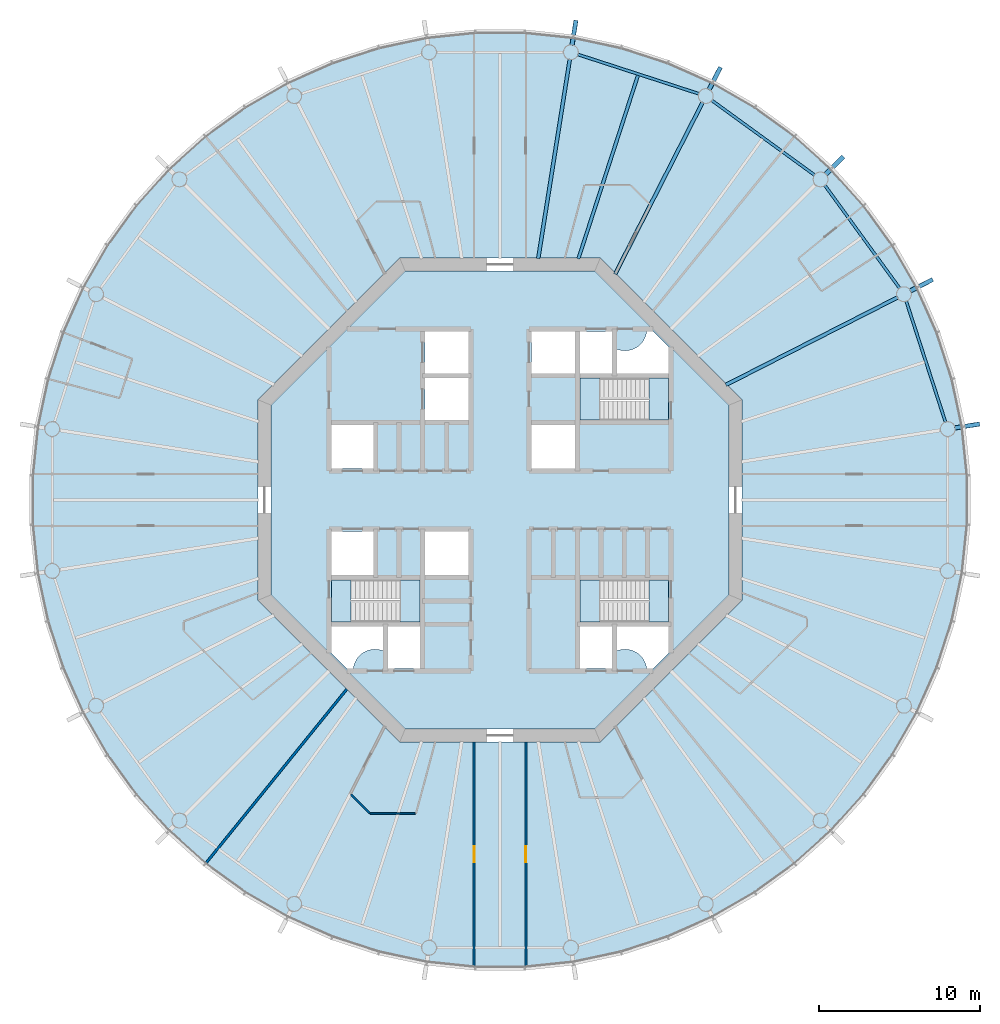
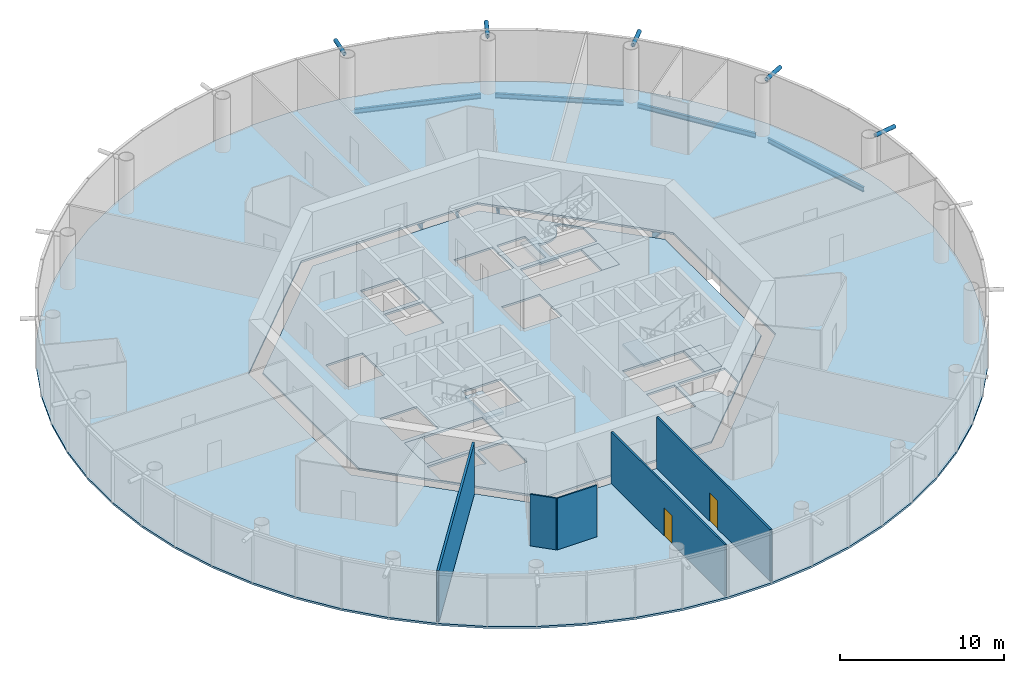
# One storey, part 2 of 13: 8 beams, 8 slabs, 5 members, 5 walls, 2 doors, 2 openings, 3 elements without a shape of their own.
"""IFC4 building model written with IfcOpenShell, lengths in metres."""

from ifc_helpers import new_model, si_unit, direction, frame, frame_2d, origin, origin_2d, place, context, subcontext, project, spatial, polyline, rectangle, circle, hollow_circle, i_section, outline, extrude, material, layer, layer_set, material_profile, profile_set, type_object, element, fill, aggregate, save


model = new_model("IFC4")

# Units and contexts
model_context = context("Model", 3, precision=1e-05, world=origin(), true_north=direction((0.0, 1.0)))
body_context = subcontext(model_context, "Body", "Model", "MODEL_VIEW")
ifc_project = project(units=[si_unit("LENGTHUNIT", "METRE"), si_unit("AREAUNIT", "SQUARE_METRE"), si_unit("VOLUMEUNIT", "CUBIC_METRE"), si_unit("PLANEANGLEUNIT", "RADIAN"), si_unit("MASSUNIT", "GRAM", prefix="KILO")], contexts=[model_context])

# Site, building, storey
site_placement = place(None, origin())
site = spatial("IfcSite", under=ifc_project, at=site_placement, CompositionType="ELEMENT")
building_placement = place(site_placement, origin())
building = spatial("IfcBuilding", under=site, at=building_placement, Name="Entoto Ring Tower", CompositionType="ELEMENT")
storey_placement = place(building_placement, frame((0.0, 0.0, 290.0)))
storey = spatial("IfcBuildingStorey", under=building, at=storey_placement, Name="L66", CompositionType="ELEMENT", Elevation=290.0)

# Members
ifc_material_1 = material(Name="Steel S355", Category="steel")
ifc_material_profile_1 = material_profile(ifc_material_1, hollow_circle(Radius=0.136474609375, WallThickness=0.012451171875, at=origin_2d()), Name="CHS 273 x 12.5")
ifc_material_2 = material(Name="Concrete C60/75", Category="concrete")
ifc_material_profile_2 = material_profile(ifc_material_2, circle(Radius=0.1240234375, at=origin_2d()), Name="Concrete C60/75 infill")
ifc_profile_set_1 = profile_set([ifc_material_profile_1, ifc_material_profile_2], Name="Steel S355")
member_type = type_object("IfcMemberType", Name="Diagrid node strut 273 x 12.5", PredefinedType="STRUT", material=ifc_profile_set_1)
for number, where, z_axis, x_axis, name in (
    (1, (118.18359375, 84.4638671875, 3.71337890625), (0.987685696029, 0.156451161263, 0.0), (-0.156451161263, 0.987685696029, 0.0), "DS2 strut ring 22 01"),
    (2, (115.4248046875, 92.95458984375, 3.71337890625), (0.891032354048, 0.45393980222, 0.0), (-0.45393980222, 0.891032354048, 0.0), "DS2 strut ring 22 02"),
    (3, (110.17724609375, 100.17724609375, 3.71337890625), (0.707106781187, 0.707106781187, 0.0), (-0.707106781187, 0.707106781187, 0.0), "DS2 strut ring 22 03"),
    (4, (102.95458984375, 105.4248046875, 3.71337890625), (0.45393980222, 0.891032354048, 0.0), (-0.891032354048, 0.45393980222, 0.0), "DS2 strut ring 22 04"),
    (5, (94.4638671875, 108.18359375, 3.71337890625), (0.156451161263, 0.987685696029, 0.0), (-0.987685696029, 0.156451161263, 0.0), "DS2 strut ring 22 05"),
):
    element("IfcMember", number, at=place(storey_placement, frame(where, z_axis=z_axis, x_axis=x_axis)), inside=storey, type_object=member_type, Name=name, PredefinedType="STRUT", context=body_context, shape_type="SweptSolid", body=[
        extrude(hollow_circle(Radius=0.136474609375, WallThickness=0.012451171875, at=origin_2d()), origin(), (0.0, 0.0, 1.0), 1.565185546875),
    ])

# Beams
ifc_material_3 = material(Name="Steel S355", Category="steel")
ifc_material_profile_3 = material_profile(ifc_material_3, i_section(OverallWidth=0.169921875, OverallDepth=0.360107421875, WebThickness=0.008056640625, FlangeThickness=0.0126953125, FilletRadius=0.01806640625, at=origin_2d()), Name="IPE 360")
ifc_profile_set_2 = profile_set([ifc_material_profile_3], Name="Steel S355")
beam_type_1 = type_object("IfcBeamType", Name="Edge beam IPE 360", PredefinedType="SPANDREL", material=ifc_profile_set_2)
beam_1_placement = place(storey_placement, frame((117.61572265625, 84.8212890625, -0.330078125), z_axis=(-0.309002883506, 0.951061101079, 0.0), x_axis=(-0.951061101079, -0.309002883506, 0.0)))
element("IfcBeam", 6, at=beam_1_placement, inside=storey, type_object=beam_type_1, Name="Edge beam L66 01", PredefinedType="SPANDREL", context=body_context, shape_type="SweptSolid", body=[
    extrude(i_section(OverallWidth=0.169921875, OverallDepth=0.360107421875, WebThickness=0.008056640625, FlangeThickness=0.0126953125, FilletRadius=0.01806640625, at=origin_2d()), origin(), (0.0, 0.0, 1.0), 7.89697265625),
])
for number, where, z_axis, x_axis, name in (
    (7, (114.7744140625, 93.118896484375, -0.330078125), (-0.587787449408, 0.809015398073, 0.0), (-0.809015398073, -0.587787449408, 0.0), "Edge beam L66 02"),
    (8, (109.5078125, 100.132568359375, -0.330078125), (-0.809015398073, 0.587787449408, 0.0), (-0.587787449408, -0.809015398073, 0.0), "Edge beam L66 03"),
):
    element("IfcBeam", number, at=place(storey_placement, frame(where, z_axis=z_axis, x_axis=x_axis)), inside=storey, type_object=beam_type_1, Name=name, PredefinedType="SPANDREL", context=body_context, shape_type="SweptSolid", body=[
        extrude(i_section(OverallWidth=0.169921875, OverallDepth=0.360107421875, WebThickness=0.008056640625, FlangeThickness=0.0126953125, FilletRadius=0.01806640625, at=origin_2d()), origin(), (0.0, 0.0, 1.0), 7.897216796875),
    ])
beam_2_placement = place(storey_placement, frame((102.331787109375, 105.175537109375, -0.330078125), z_axis=(-0.951061101079, 0.309002883506, 0.0), x_axis=(-0.309002883506, -0.951061101079, 0.0)))
element("IfcBeam", 9, at=beam_2_placement, inside=storey, type_object=beam_type_1, Name="Edge beam L66 04", PredefinedType="SPANDREL", context=body_context, shape_type="SweptSolid", body=[
    extrude(i_section(OverallWidth=0.169921875, OverallDepth=0.360107421875, WebThickness=0.008056640625, FlangeThickness=0.0126953125, FilletRadius=0.01806640625, at=origin_2d()), origin(), (0.0, 0.0, 1.0), 7.89697265625),
])
ifc_material_4 = material(Name="Steel S355", Category="steel")
ifc_material_profile_4 = material_profile(ifc_material_4, i_section(OverallWidth=0.219970703125, OverallDepth=0.60009765625, WebThickness=0.011962890625, FlangeThickness=0.01904296875, FilletRadius=0.02392578125, at=origin_2d()), Name="IPE 600")
ifc_profile_set_3 = profile_set([ifc_material_profile_4], Name="Steel S355")
beam_type_2 = type_object("IfcBeamType", Name="Primary floor beam IPE 600", PredefinedType="BEAM", material=ifc_profile_set_3)
for number, where, z_axis, x_axis, name in (
    (10, (104.003173828125, 87.135009765625, -0.449951171875), (0.891007666593, 0.453988257638, 0.0), (-0.453988257638, 0.891007666593, 0.0), "Primary L66 R02"),
    (11, (97.135009765625, 94.003173828125, -0.449951171875), (0.453988257638, 0.891007666593, 0.0), (-0.891007666593, 0.453988257638, 0.0), "Primary L66 R04"),
):
    element("IfcBeam", number, at=place(storey_placement, frame(where, z_axis=z_axis, x_axis=x_axis)), inside=storey, type_object=beam_type_2, Name=name, PredefinedType="BEAM", context=body_context, shape_type="SweptSolid", body=[
        extrude(i_section(OverallWidth=0.219970703125, OverallDepth=0.60009765625, WebThickness=0.011962890625, FlangeThickness=0.01904296875, FilletRadius=0.02392578125, at=origin_2d()), origin(), (0.0, 0.0, 1.0), 11.941650390625),
    ])
beam_3_placement = place(storey_placement, frame((92.369873046875, 94.963134765625, -0.449951171875), z_axis=(0.156439647277, 0.987687519796, 0.0), x_axis=(-0.987687519796, 0.156439647277, 0.0)))
element("IfcBeam", 12, at=beam_3_placement, inside=storey, type_object=beam_type_2, Name="Primary L66 R05", PredefinedType="BEAM", context=body_context, shape_type="SweptSolid", body=[
    extrude(i_section(OverallWidth=0.219970703125, OverallDepth=0.60009765625, WebThickness=0.011962890625, FlangeThickness=0.01904296875, FilletRadius=0.02392578125, at=origin_2d()), origin(), (0.0, 0.0, 1.0), 12.50830078125),
])
ifc_material_5 = material(Name="Steel S355", Category="steel")
ifc_material_profile_5 = material_profile(ifc_material_5, i_section(OverallWidth=0.199951171875, OverallDepth=0.5, WebThickness=0.01025390625, FlangeThickness=0.01611328125, FilletRadius=0.02099609375, at=origin_2d()), Name="IPE 500")
ifc_profile_set_4 = profile_set([ifc_material_profile_5], Name="Steel S355")
beam_type_3 = type_object("IfcBeamType", Name="Secondary floor beam IPE 500", PredefinedType="JOIST", material=ifc_profile_set_4)
beam_4_placement = place(storey_placement, frame((94.857666015625, 94.9501953125, -0.39990234375), z_axis=(0.30901677521, 0.951056587506, 0.0), x_axis=(-0.951056587506, 0.30901677521, 0.0)))
element("IfcBeam", 13, at=beam_4_placement, inside=storey, type_object=beam_type_3, Name="Secondary beam L66 04", PredefinedType="JOIST", context=body_context, shape_type="SweptSolid", body=[
    extrude(i_section(OverallWidth=0.199951171875, OverallDepth=0.5, WebThickness=0.01025390625, FlangeThickness=0.01611328125, FilletRadius=0.02099609375, at=origin_2d()), origin(), (0.0, 0.0, 1.0), 11.94970703125),
])

# Slabs
ifc_material_6 = material(Name="Concrete C30/37", Category="concrete")
ifc_layer_1 = layer(ifc_material_6, 0.14990234375)
ifc_layer_set_1 = layer_set([ifc_layer_1], Name="Concrete C30/37")
slab_type_1 = type_object("IfcSlabType", Name="Composite floor slab 150 mm", PredefinedType="FLOOR", material=ifc_layer_set_1)
slab_1_placement = place(storey_placement, frame((0.0, 0.0, -0.14990234375)))
element("IfcSlab", 14, at=slab_1_placement, inside=storey, type_object=slab_type_1, Name="Floor slab L66", PredefinedType="FLOOR", context=body_context, shape_type="SweptSolid", body=[
    extrude(outline(polyline([(118.74169921875, 84.55224609375), (118.1083984375, 87.53173828125), (117.167236328125, 90.428466796875), (115.92822265625, 93.211181640625), (114.4052734375, 95.848876953125), (112.614990234375, 98.313232421875), (110.576904296875, 100.576904296875), (108.313232421875, 102.614990234375), (105.848876953125, 104.4052734375), (103.211181640625, 105.92822265625), (100.428466796875, 107.167236328125), (97.53173828125, 108.1083984375), (94.55224609375, 108.74169921875), (91.52294921875, 109.06005859375), (88.47705078125, 109.06005859375), (85.44775390625, 108.74169921875), (82.46826171875, 108.1083984375), (79.571533203125, 107.167236328125), (76.788818359375, 105.92822265625), (74.151123046875, 104.4052734375), (71.686767578125, 102.614990234375), (69.423095703125, 100.576904296875), (67.385009765625, 98.313232421875), (65.5947265625, 95.848876953125), (64.07177734375, 93.211181640625), (62.832763671875, 90.428466796875), (61.8916015625, 87.53173828125), (61.25830078125, 84.55224609375), (60.93994140625, 81.52294921875), (60.93994140625, 78.47705078125), (61.25830078125, 75.44775390625), (61.8916015625, 72.46826171875), (62.832763671875, 69.571533203125), (64.07177734375, 66.788818359375), (65.5947265625, 64.151123046875), (67.385009765625, 61.686767578125), (69.423095703125, 59.423095703125), (71.686767578125, 57.385009765625), (74.151123046875, 55.5947265625), (76.788818359375, 54.07177734375), (79.571533203125, 52.832763671875), (82.46826171875, 51.8916015625), (85.44775390625, 51.25830078125), (88.47705078125, 50.93994140625), (91.52294921875, 50.93994140625), (94.55224609375, 51.25830078125), (97.53173828125, 51.8916015625), (100.428466796875, 52.832763671875), (103.211181640625, 54.07177734375), (105.848876953125, 55.5947265625), (108.313232421875, 57.385009765625), (110.576904296875, 59.423095703125), (112.614990234375, 61.686767578125), (114.4052734375, 64.151123046875), (115.92822265625, 66.788818359375), (117.167236328125, 69.571533203125), (118.1083984375, 72.46826171875), (118.74169921875, 75.44775390625), (119.06005859375, 78.47705078125), (119.06005859375, 81.52294921875), (118.74169921875, 84.55224609375)]), holes=[polyline([(105.0, 73.786865234375), (105.0, 86.213134765625), (96.213134765625, 95.0), (83.786865234375, 95.0), (75.0, 86.213134765625), (75.0, 73.786865234375), (83.786865234375, 65.0), (96.213134765625, 65.0), (105.0, 73.786865234375)])]), origin(), (0.0, 0.0, 1.0), 0.14990234375),
])
ifc_material_7 = material(Name="Concrete C40/50", Category="concrete")
ifc_layer_2 = layer(ifc_material_7, 0.14990234375)
ifc_layer_set_2 = layer_set([ifc_layer_2], Name="Concrete C40/50")
slab_type_2 = type_object("IfcSlabType", Name="Core floor slab 150 mm reinforced concrete C40/50", PredefinedType="FLOOR", material=ifc_layer_set_2)
slab_2_placement = place(storey_placement, frame((0.0, 0.0, -0.14990234375)))
element("IfcSlab", 15, at=slab_2_placement, inside=storey, type_object=slab_type_2, Name="Core floor L66", PredefinedType="FLOOR", context=body_context, shape_type="SweptSolid", body=[
    extrude(outline(polyline([(104.199951171875, 74.1181640625), (104.199951171875, 85.8818359375), (95.8818359375, 94.199951171875), (84.1181640625, 94.199951171875), (75.800048828125, 85.8818359375), (75.800048828125, 74.1181640625), (84.1181640625, 65.800048828125), (95.8818359375, 65.800048828125), (104.199951171875, 74.1181640625)]), holes=[polyline([(100.449951171875, 84.949951171875), (100.449951171875, 87.550048828125), (94.949951171875, 87.550048828125), (94.949951171875, 84.949951171875), (100.449951171875, 84.949951171875)]), polyline([(85.050048828125, 72.449951171875), (85.050048828125, 75.050048828125), (79.550048828125, 75.050048828125), (79.550048828125, 72.449951171875), (85.050048828125, 72.449951171875)]), polyline([(100.449951171875, 72.449951171875), (100.449951171875, 75.050048828125), (94.949951171875, 75.050048828125), (94.949951171875, 72.449951171875), (100.449951171875, 72.449951171875)]), polyline([(94.949951171875, 90.449951171875), (94.949951171875, 87.85009765625), (96.949951171875, 87.85009765625), (96.949951171875, 90.449951171875), (94.949951171875, 90.449951171875)]), polyline([(94.949951171875, 72.14990234375), (94.949951171875, 69.550048828125), (96.949951171875, 69.550048828125), (96.949951171875, 72.14990234375), (94.949951171875, 72.14990234375)]), polyline([(83.050048828125, 72.14990234375), (83.050048828125, 69.550048828125), (85.050048828125, 69.550048828125), (85.050048828125, 72.14990234375), (83.050048828125, 72.14990234375)]), polyline([(79.550048828125, 81.949951171875), (82.14990234375, 81.949951171875), (82.14990234375, 84.64990234375), (79.550048828125, 84.64990234375), (79.550048828125, 81.949951171875)]), polyline([(79.550048828125, 75.35009765625), (82.14990234375, 75.35009765625), (82.14990234375, 78.050048828125), (79.550048828125, 78.050048828125), (79.550048828125, 75.35009765625)]), polyline([(91.949951171875, 87.85009765625), (94.64990234375, 87.85009765625), (94.64990234375, 90.449951171875), (91.949951171875, 90.449951171875), (91.949951171875, 87.85009765625)]), polyline([(91.949951171875, 81.949951171875), (94.64990234375, 81.949951171875), (94.64990234375, 84.64990234375), (91.949951171875, 84.64990234375), (91.949951171875, 81.949951171875)]), polyline([(85.35009765625, 75.35009765625), (88.050048828125, 75.35009765625), (88.050048828125, 78.050048828125), (85.35009765625, 78.050048828125), (85.35009765625, 75.35009765625)]), polyline([(85.35009765625, 84.949951171875), (88.050048828125, 84.949951171875), (88.050048828125, 87.550048828125), (85.35009765625, 87.550048828125), (85.35009765625, 84.949951171875)]), polyline([(85.35009765625, 87.85009765625), (88.050048828125, 87.85009765625), (88.050048828125, 90.449951171875), (85.35009765625, 90.449951171875), (85.35009765625, 87.85009765625)]), polyline([(97.199951171875, 89.368408203125), (97.199951171875, 87.800048828125), (100.5, 87.800048828125), (100.5, 89.4404296875), (99.4404296875, 90.5), (99.09521484375, 90.5), (99.093505859375, 90.4677734375), (99.07421875, 90.336669921875), (99.0419921875, 90.2080078125), (98.997314453125, 90.08349609375), (98.940673828125, 89.963623046875), (98.87255859375, 89.85009765625), (98.793701171875, 89.74365234375), (98.70458984375, 89.6455078125), (98.6064453125, 89.556396484375), (98.5, 89.4775390625), (98.386474609375, 89.409423828125), (98.2666015625, 89.352783203125), (98.141845703125, 89.30810546875), (98.013427734375, 89.27587890625), (97.88232421875, 89.256591796875), (97.75, 89.25), (97.61767578125, 89.256591796875), (97.486572265625, 89.27587890625), (97.358154296875, 89.30810546875), (97.2333984375, 89.352783203125), (97.199951171875, 89.368408203125)]), polyline([(80.5595703125, 69.5), (80.90478515625, 69.5), (80.906494140625, 69.5322265625), (80.92578125, 69.663330078125), (80.9580078125, 69.7919921875), (81.002685546875, 69.91650390625), (81.059326171875, 70.036376953125), (81.12744140625, 70.14990234375), (81.206298828125, 70.25634765625), (81.29541015625, 70.3544921875), (81.3935546875, 70.443603515625), (81.5, 70.5224609375), (81.613525390625, 70.590576171875), (81.7333984375, 70.647216796875), (81.858154296875, 70.69189453125), (81.986572265625, 70.72412109375), (82.11767578125, 70.743408203125), (82.25, 70.75), (82.38232421875, 70.743408203125), (82.513427734375, 70.72412109375), (82.641845703125, 70.69189453125), (82.7666015625, 70.647216796875), (82.800048828125, 70.631591796875), (82.800048828125, 72.199951171875), (79.5, 72.199951171875), (79.5, 70.5595703125), (80.5595703125, 69.5)]), polyline([(99.09521484375, 69.5), (99.4404296875, 69.5), (100.5, 70.5595703125), (100.5, 72.199951171875), (97.199951171875, 72.199951171875), (97.199951171875, 70.631591796875), (97.2333984375, 70.647216796875), (97.358154296875, 70.69189453125), (97.486572265625, 70.72412109375), (97.61767578125, 70.743408203125), (97.75, 70.75), (97.88232421875, 70.743408203125), (98.013427734375, 70.72412109375), (98.141845703125, 70.69189453125), (98.2666015625, 70.647216796875), (98.386474609375, 70.590576171875), (98.5, 70.5224609375), (98.6064453125, 70.443603515625), (98.70458984375, 70.3544921875), (98.793701171875, 70.25634765625), (98.87255859375, 70.14990234375), (98.940673828125, 70.036376953125), (98.997314453125, 69.91650390625), (99.0419921875, 69.7919921875), (99.07421875, 69.663330078125), (99.093505859375, 69.5322265625), (99.09521484375, 69.5)])]), origin(), (0.0, 0.0, 1.0), 0.14990234375),
])

# Stair, slabs
ifc_material_8 = material(Name="Concrete C40/50", Category="concrete")
stair_type = type_object("IfcStairType", Name="Exit stair 1200 mm dog-leg reinforced concrete", PredefinedType="HALF_TURN_STAIR", material=ifc_material_8)
stair_1_placement = place(storey_placement, origin())
stair_1 = element("IfcStair", 16, at=stair_1_placement, inside=storey, type_object=stair_type, Name="Exit stair 1", PredefinedType="HALF_TURN_STAIR")
ifc_material_9 = material(Name="Concrete C40/50", Category="concrete")
ifc_layer_3 = layer(ifc_material_9, 0.199951171875)
ifc_layer_set_3 = layer_set([ifc_layer_3], Name="Concrete C40/50")
slab_type_3 = type_object("IfcSlabType", Name="Stair landing 200 mm reinforced concrete", PredefinedType="LANDING", material=ifc_layer_set_3)
slab_3_placement = place(storey_placement, frame((0.0, 0.0, -0.199951171875)))
slab_3 = element("IfcSlab", 17, at=slab_3_placement, type_object=slab_type_3, Name="ST1 landing 1", PredefinedType="LANDING", context=body_context, shape_type="SweptSolid", body=[
    extrude(outline(polyline([(100.449951171875, 84.949951171875), (100.449951171875, 87.550048828125), (99.25, 87.550048828125), (99.25, 84.949951171875), (100.449951171875, 84.949951171875)])), origin(), (0.0, 0.0, 1.0), 0.199951171875),
])
slab_4_placement = place(storey_placement, frame((0.0, 0.0, 1.800048828125)))
slab_4 = element("IfcSlab", 18, at=slab_4_placement, type_object=slab_type_3, Name="ST1 landing 2", PredefinedType="LANDING", context=body_context, shape_type="SweptSolid", body=[
    extrude(outline(polyline([(94.949951171875, 84.949951171875), (96.169921875, 84.949951171875), (96.169921875, 87.550048828125), (94.949951171875, 87.550048828125), (94.949951171875, 84.949951171875)])), origin(), (0.0, 0.0, 1.0), 0.199951171875),
])
aggregate(stair_1, [slab_3, slab_4])

stair_2_placement = place(storey_placement, origin())
stair_2 = element("IfcStair", 19, at=stair_2_placement, inside=storey, type_object=stair_type, Name="Exit stair 2", PredefinedType="HALF_TURN_STAIR")
slab_5_placement = place(storey_placement, frame((0.0, 0.0, -0.199951171875)))
slab_5 = element("IfcSlab", 20, at=slab_5_placement, type_object=slab_type_3, Name="ST2 landing 1", PredefinedType="LANDING", context=body_context, shape_type="SweptSolid", body=[
    extrude(outline(polyline([(80.75, 72.449951171875), (80.75, 75.050048828125), (79.550048828125, 75.050048828125), (79.550048828125, 72.449951171875), (80.75, 72.449951171875)])), origin(), (0.0, 0.0, 1.0), 0.199951171875),
])
slab_6_placement = place(storey_placement, frame((0.0, 0.0, 1.800048828125)))
slab_6 = element("IfcSlab", 21, at=slab_6_placement, type_object=slab_type_3, Name="ST2 landing 2", PredefinedType="LANDING", context=body_context, shape_type="SweptSolid", body=[
    extrude(outline(polyline([(83.830078125, 72.449951171875), (85.050048828125, 72.449951171875), (85.050048828125, 75.050048828125), (83.830078125, 75.050048828125), (83.830078125, 72.449951171875)])), origin(), (0.0, 0.0, 1.0), 0.199951171875),
])
aggregate(stair_2, [slab_5, slab_6])

stair_3_placement = place(storey_placement, origin())
stair_3 = element("IfcStair", 22, at=stair_3_placement, inside=storey, type_object=stair_type, Name="Exit stair 3", PredefinedType="HALF_TURN_STAIR")
slab_7_placement = place(storey_placement, frame((0.0, 0.0, -0.199951171875)))
slab_7 = element("IfcSlab", 23, at=slab_7_placement, type_object=slab_type_3, Name="ST3 landing 1", PredefinedType="LANDING", context=body_context, shape_type="SweptSolid", body=[
    extrude(outline(polyline([(100.449951171875, 72.449951171875), (100.449951171875, 75.050048828125), (99.25, 75.050048828125), (99.25, 72.449951171875), (100.449951171875, 72.449951171875)])), origin(), (0.0, 0.0, 1.0), 0.199951171875),
])
slab_8_placement = place(storey_placement, frame((0.0, 0.0, 1.800048828125)))
slab_8 = element("IfcSlab", 24, at=slab_8_placement, type_object=slab_type_3, Name="ST3 landing 2", PredefinedType="LANDING", context=body_context, shape_type="SweptSolid", body=[
    extrude(outline(polyline([(94.949951171875, 72.449951171875), (96.169921875, 72.449951171875), (96.169921875, 75.050048828125), (94.949951171875, 75.050048828125), (94.949951171875, 72.449951171875)])), origin(), (0.0, 0.0, 1.0), 0.199951171875),
])
aggregate(stair_3, [slab_7, slab_8])

# Wall, opening, door
ifc_material_10 = material(Name="Fire-resisting plasterboard on steel studs", Category="steel")
ifc_layer_4 = layer(ifc_material_10, 0.125)
ifc_layer_set_4 = layer_set([ifc_layer_4], Name="Fire-resisting plasterboard on steel studs")
wall_type_1 = type_object("IfcWallType", Name="Corridor wall 125 mm one-hour plasterboard on steel studs", PredefinedType="PARTITIONING", material=ifc_layer_set_4)
wall_1_placement = place(storey_placement, frame((88.39990234375, 51.108642578125, 0.0), z_axis=(0.0, 0.0, 1.0), x_axis=(0.0, 1.0, 0.0)))
wall_1 = element("IfcWall", 25, at=wall_1_placement, inside=storey, type_object=wall_type_1, Name="partition-L66-003", PredefinedType="PARTITIONING", context=body_context, shape_type="SweptSolid", body=[
    extrude(rectangle(XDim=13.891357421875, YDim=0.125, at=frame_2d((6.94580078125, 0.0))), origin(), (0.0, 0.0, 1.0), 3.85009765625),
])
opening_1_placement = place(wall_1_placement, frame((6.44580078125, 0.0, 0.0)))
opening_1 = element("IfcOpeningElement", 26, at=opening_1_placement, cuts=wall_1, Name="Opening A29-D11", PredefinedType="OPENING", context=body_context, shape_type="SweptSolid", body=[
    extrude(rectangle(XDim=1.0, YDim=2.10009765625, at=frame_2d((0.5, 1.050048828125))), frame((0.0, 0.072509765625, 0.0), z_axis=(0.0, -1.0, 0.0), x_axis=(1.0, 0.0, 0.0)), (0.0, 0.0, 1.0), 0.14501953125),
])
ifc_material_11 = material(Name="Fire-resisting timber door set", Category="wood")
door_type = type_object("IfcDoorType", Name="Door 1000 x 2100 single leaf FD30S fire door", OperationType="NOTDEFINED", PredefinedType="DOOR", material=ifc_material_11)
door_1_placement = place(opening_1_placement, origin())
door_1 = element("IfcDoor", 27, at=door_1_placement, inside=storey, type_object=door_type, Name="Door A29-D11", OperationType="SINGLE_SWING_LEFT", OverallHeight=2.10009765625, OverallWidth=1.0, PredefinedType="DOOR", context=body_context, shape_type="SweptSolid", body=[
    extrude(rectangle(XDim=1.0, YDim=2.10009765625, at=frame_2d((0.5, 1.050048828125))), frame((0.0, 0.02490234375, 0.0), z_axis=(0.0, -1.0, 0.0), x_axis=(1.0, 0.0, 0.0)), (0.0, 0.0, 1.0), 0.050048828125),
])
fill(opening_1, door_1)

wall_2_placement = place(storey_placement, frame((91.60009765625, 51.108642578125, 0.0), z_axis=(0.0, 0.0, 1.0), x_axis=(0.0, 1.0, 0.0)))
wall_2 = element("IfcWall", 28, at=wall_2_placement, inside=storey, type_object=wall_type_1, Name="partition-L66-005", PredefinedType="PARTITIONING", context=body_context, shape_type="SweptSolid", body=[
    extrude(rectangle(XDim=13.891357421875, YDim=0.125, at=frame_2d((6.94580078125, 0.0))), origin(), (0.0, 0.0, 1.0), 3.85009765625),
])
opening_2_placement = place(wall_2_placement, frame((6.44580078125, 0.0, 0.0)))
opening_2 = element("IfcOpeningElement", 29, at=opening_2_placement, cuts=wall_2, Name="Opening A29-D13", PredefinedType="OPENING", context=body_context, shape_type="SweptSolid", body=[
    extrude(rectangle(XDim=1.0, YDim=2.10009765625, at=frame_2d((0.5, 1.050048828125))), frame((0.0, 0.072509765625, 0.0), z_axis=(0.0, -1.0, 0.0), x_axis=(1.0, 0.0, 0.0)), (0.0, 0.0, 1.0), 0.14501953125),
])
door_2_placement = place(opening_2_placement, frame((1.0, 0.0, 0.0), z_axis=(0.0, 0.0, 1.0), x_axis=(-1.0, 0.0, 0.0)))
door_2 = element("IfcDoor", 30, at=door_2_placement, inside=storey, type_object=door_type, Name="Door A29-D13", OperationType="SINGLE_SWING_RIGHT", OverallHeight=2.10009765625, OverallWidth=1.0, PredefinedType="DOOR", context=body_context, shape_type="SweptSolid", body=[
    extrude(rectangle(XDim=1.0, YDim=2.10009765625, at=frame_2d((0.5, 1.050048828125))), frame((0.0, 0.02490234375, 0.0), z_axis=(0.0, -1.0, 0.0), x_axis=(1.0, 0.0, 0.0)), (0.0, 0.0, 1.0), 0.050048828125),
])
fill(opening_2, door_2)

# Walls
ifc_material_12 = material(Name="Plasterboard on steel studs", Category="steel")
ifc_layer_5 = layer(ifc_material_12, 0.10009765625)
ifc_layer_set_5 = layer_set([ifc_layer_5], Name="Plasterboard on steel studs")
wall_type_2 = type_object("IfcWallType", Name="Partition 100 mm plasterboard on steel studs", PredefinedType="PARTITIONING", material=ifc_layer_set_5)
wall_3_placement = place(storey_placement, frame((81.94775390625, 60.56005859375, 0.0), z_axis=(0.0, 0.0, 1.0), x_axis=(1.0, 0.0, 0.0)))
element("IfcWall", 31, at=wall_3_placement, inside=storey, type_object=wall_type_2, Name="partition-L66-032", PredefinedType="PARTITIONING", context=body_context, shape_type="SweptSolid", body=[
    extrude(rectangle(XDim=2.795166015625, YDim=0.10009765625, at=frame_2d((1.3974609375, 0.0))), origin(), (0.0, 0.0, 1.0), 3.85009765625),
])
wall_4_placement = place(storey_placement, frame((81.9228515625, 60.584716796875, 0.0), z_axis=(0.0, 0.0, 1.0), x_axis=(-0.707032943482, 0.707180611181, 0.0)))
element("IfcWall", 32, at=wall_4_placement, inside=storey, type_object=wall_type_2, Name="partition-L66-038", PredefinedType="PARTITIONING", context=body_context, shape_type="SweptSolid", body=[
    extrude(rectangle(XDim=1.6533203125, YDim=0.10009765625, at=frame_2d((0.82666015625, 0.0))), origin(), (0.0, 0.0, 1.0), 3.85009765625),
])
ifc_material_13 = material(Name="Fire-resisting acoustic plasterboard on steel studs", Category="steel")
ifc_layer_6 = layer(ifc_material_13, 0.14990234375)
ifc_layer_set_6 = layer_set([ifc_layer_6], Name="Fire-resisting acoustic plasterboard on steel studs")
wall_type_3 = type_object("IfcWallType", Name="Party wall 150 mm one-hour acoustic plasterboard on steel studs", PredefinedType="PARTITIONING", material=ifc_layer_set_6)
wall_5_placement = place(storey_placement, frame((71.78759765625, 57.509521484375, 0.0), z_axis=(0.0, 0.0, 1.0), x_axis=(0.629324927109, 0.777142288207, 0.0)))
element("IfcWall", 33, at=wall_5_placement, inside=storey, type_object=wall_type_3, Name="partition-L66-009", PredefinedType="PARTITIONING", context=body_context, shape_type="SweptSolid", body=[
    extrude(rectangle(XDim=13.857177734375, YDim=0.14990234375, at=frame_2d((6.9287109375, 0.0))), origin(), (0.0, 0.0, 1.0), 3.85009765625),
])

save(model, "model.ifc")
